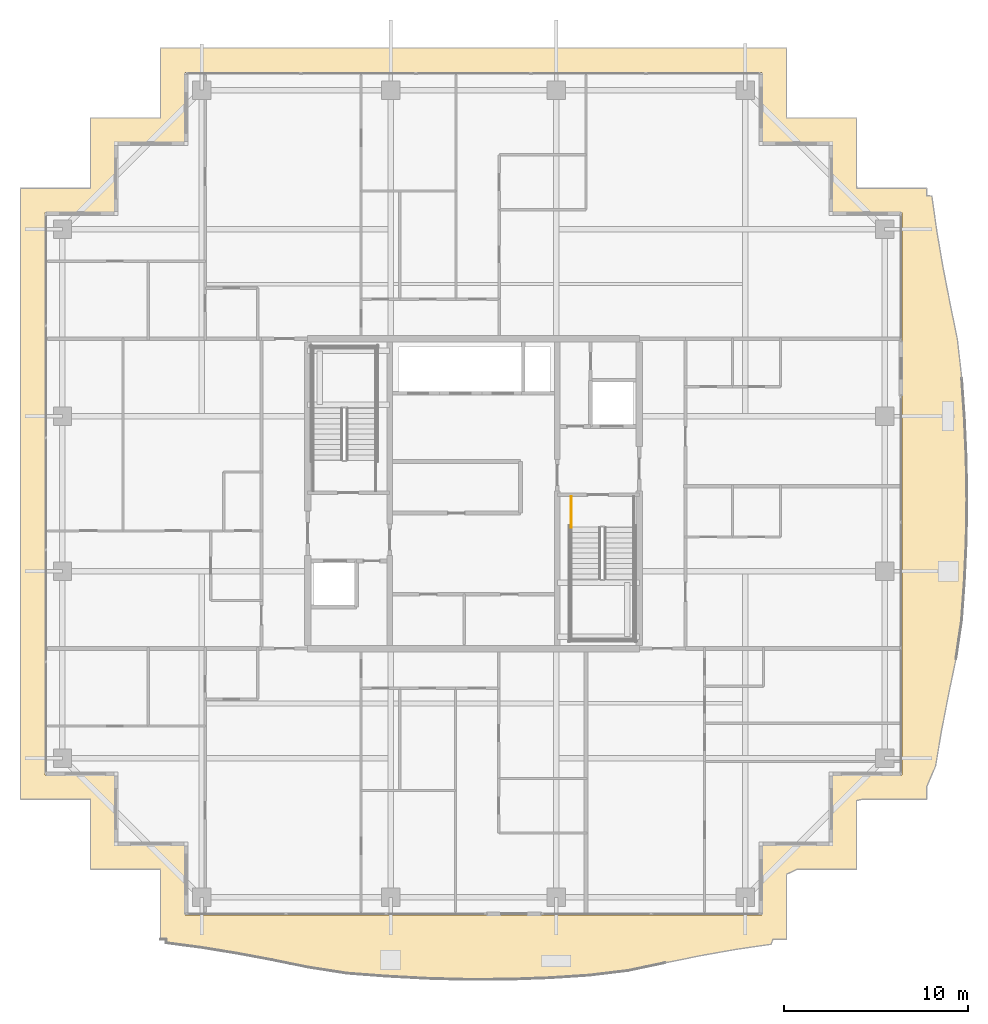
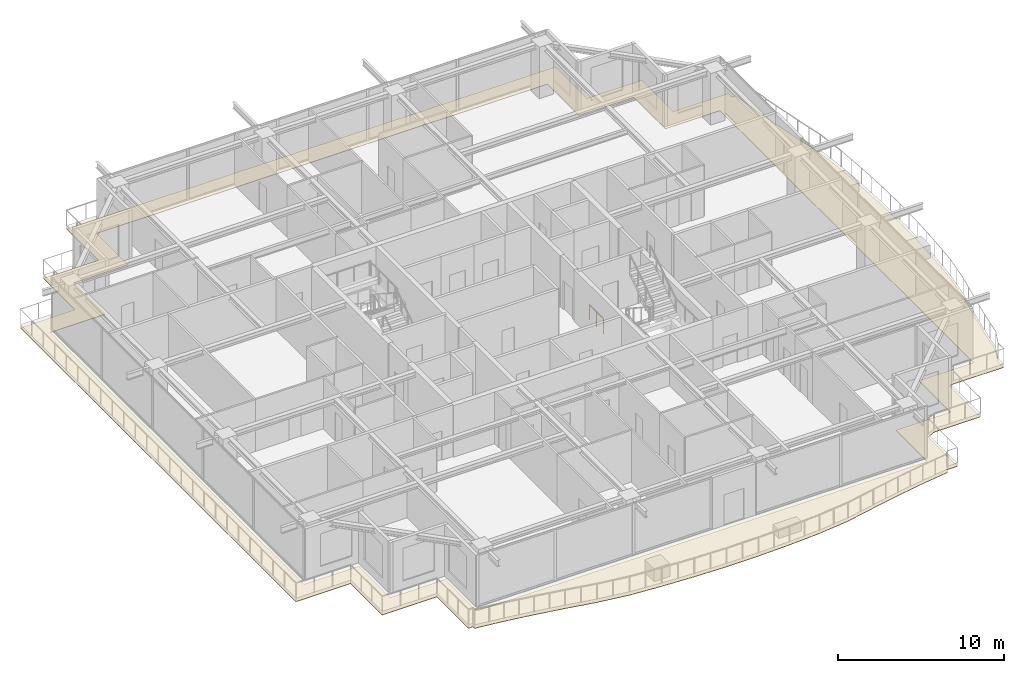
# One storey, part 40 of 42: 1 covering, 1 railing.
"""IFC4 building model written with IfcOpenShell, lengths in metres."""

from ifc_helpers import new_model, si_unit, direction, frame, origin, origin_2d, place, context, subcontext, project, spatial, polyline, circle, outline, extrude, material, layer, layer_set, type_object, element, save


model = new_model("IFC4")

# Units and contexts
model_context = context("Model", 3, precision=1e-05, world=origin(), true_north=direction((0.0, 1.0)))
body_context = subcontext(model_context, "Body", "Model", "MODEL_VIEW")
ifc_project = project(units=[si_unit("LENGTHUNIT", "METRE"), si_unit("AREAUNIT", "SQUARE_METRE"), si_unit("VOLUMEUNIT", "CUBIC_METRE"), si_unit("PLANEANGLEUNIT", "RADIAN"), si_unit("MASSUNIT", "GRAM", prefix="KILO")], contexts=[model_context])

# Site, building, storey
site_placement = place(None, origin())
site = spatial("IfcSite", under=ifc_project, at=site_placement, CompositionType="ELEMENT")
building_placement = place(site_placement, origin())
building = spatial("IfcBuilding", under=site, at=building_placement, Name="Serunith Strait Residences", CompositionType="ELEMENT")
storey_placement = place(building_placement, frame((0.0, 0.0, 309.64990234375)))
storey = spatial("IfcBuildingStorey", under=building, at=storey_placement, Name="L77", CompositionType="ELEMENT", Elevation=309.64990234375)

# Covering
ifc_material_1 = material(Name="Golden Teak Exterior Timber Boarding", Category="wood")
ifc_layer = layer(ifc_material_1, 0.034912109375, Name="Golden Teak Exterior Timber Boarding")
ifc_layer_set = layer_set([ifc_layer], Name="Golden Teak Exterior Timber Boarding")
covering_type = type_object("IfcCoveringType", Name="COV-TEAK-SOFFIT", PredefinedType="CEILING", material=ifc_layer_set)
covering_placement = place(storey_placement, frame((0.0, 0.0, -0.324951171875)))
element("IfcCovering", 1, at=covering_placement, inside=storey, type_object=covering_type, Name="L77 Golden-Teak Balcony Soffit Lining", PredefinedType="CEILING", context=body_context, shape_type="SweptSolid", body=[
    extrude(outline(polyline([(15.419921875, 1.02001953125), (15.419921875, 4.820068359375), (11.6201171875, 4.820068359375), (11.6201171875, 8.6201171875), (7.820068359375, 8.6201171875), (7.820068359375, 41.780029296875), (11.6201171875, 41.780029296875), (11.6201171875, 45.580078125), (15.407470703125, 45.580078125), (15.419921875, 45.584716796875), (15.419921875, 49.3798828125), (49.3798828125, 49.3798828125), (49.3798828125, 45.580078125), (53.179931640625, 45.580078125), (53.179931640625, 41.897705078125), (53.19775390625, 41.780029296875), (56.97998046875, 41.780029296875), (56.97998046875, 41.365966796875), (57.26611328125, 41.3486328125), (57.5361328125, 39.447509765625), (57.86328125, 37.529296875), (58.241455078125, 35.577392578125), (58.650390625, 33.572998046875), (58.889892578125, 31.4609375), (59.0390625, 29.29541015625), (59.13720703125, 27.1015625), (59.17236328125, 24.892333984375), (59.138916015625, 22.68359375), (59.03955078125, 20.4921875), (58.885498046875, 18.331298828125), (58.575927734375, 16.2490234375), (58.162841796875, 14.261962890625), (57.786865234375, 12.32421875), (57.4658203125, 10.416259765625), (56.97998046875, 9.28955078125), (56.97998046875, 8.6201171875), (53.472900390625, 8.6201171875), (53.179931640625, 8.546630859375), (53.179931640625, 4.820068359375), (49.946044921875, 4.820068359375), (49.3798828125, 4.552490234375), (49.3798828125, 1.02001953125), (48.637451171875, 1.02001953125), (48.551513671875, 0.75830078125), (46.656494140625, 0.481201171875), (44.745361328125, 0.143310546875), (42.79931640625, -0.249267578125), (40.797119140625, -0.672607421875), (38.68408203125, -0.929443359375), (36.509521484375, -1.069580078125), (34.306884765625, -1.148681640625), (32.091796875, -1.1591796875), (29.88134765625, -1.101318359375), (27.69140625, -0.98388671875), (25.533447265625, -0.82080078125), (23.4580078125, -0.49853515625), (21.472412109375, -0.09423828125), (19.53369140625, 0.269287109375), (17.623046875, 0.57763671875), (15.724609375, 0.828369140625), (15.72607421875, 1.02001953125), (15.419921875, 1.02001953125)]), holes=[polyline([(48.054931640625, 2.344970703125), (48.054931640625, 6.14501953125), (51.85498046875, 6.14501953125), (51.85498046875, 9.945068359375), (55.655029296875, 9.945068359375), (55.655029296875, 40.455078125), (51.85498046875, 40.455078125), (51.85498046875, 44.2548828125), (48.054931640625, 44.2548828125), (48.054931640625, 48.054931640625), (16.7451171875, 48.054931640625), (16.7451171875, 44.2548828125), (12.945068359375, 44.2548828125), (12.945068359375, 40.455078125), (9.14501953125, 40.455078125), (9.14501953125, 9.945068359375), (12.945068359375, 9.945068359375), (12.945068359375, 6.14501953125), (16.7451171875, 6.14501953125), (16.7451171875, 2.344970703125), (48.054931640625, 2.344970703125)])]), origin(), (0.0, 0.0, 1.0), 0.03515625),
])

# Railing
ifc_material_2 = material(Name="Brushed stainless steel 316L", Category="steel")
railing_type = type_object("IfcRailingType", Name="RLG-STAIR-GUARD", PredefinedType="BALUSTRADE", material=ifc_material_2)
railing_placement = place(storey_placement, frame((37.699951171875, 25.050048828125, 0.0)))
element("IfcRailing", 2, at=railing_placement, inside=storey, type_object=railing_type, Name="L77 ST-2 stair guard 8", PredefinedType="BALUSTRADE", context=body_context, shape_type="SweptSolid", body=[
    extrude(circle(Radius=0.02392578125, at=origin_2d()), frame((0.0, -0.001953125, 1.076171875), z_axis=(0.0, -1.0, 0.0), x_axis=(1.0, 0.0, 0.0)), (0.0, 0.0, 1.0), 1.676025390625),
    extrude(circle(Radius=0.02099609375, at=origin_2d()), origin(), (0.0, 0.0, 1.0), 1.050048828125),
    extrude(circle(Radius=0.02099609375, at=origin_2d()), frame((0.0, -0.83984375, 0.0)), (0.0, 0.0, 1.0), 1.050048828125),
    extrude(circle(Radius=0.02099609375, at=origin_2d()), frame((0.0, -1.679931640625, 0.0)), (0.0, 0.0, 1.0), 1.050048828125),
])

save(model, "model.ifc")
